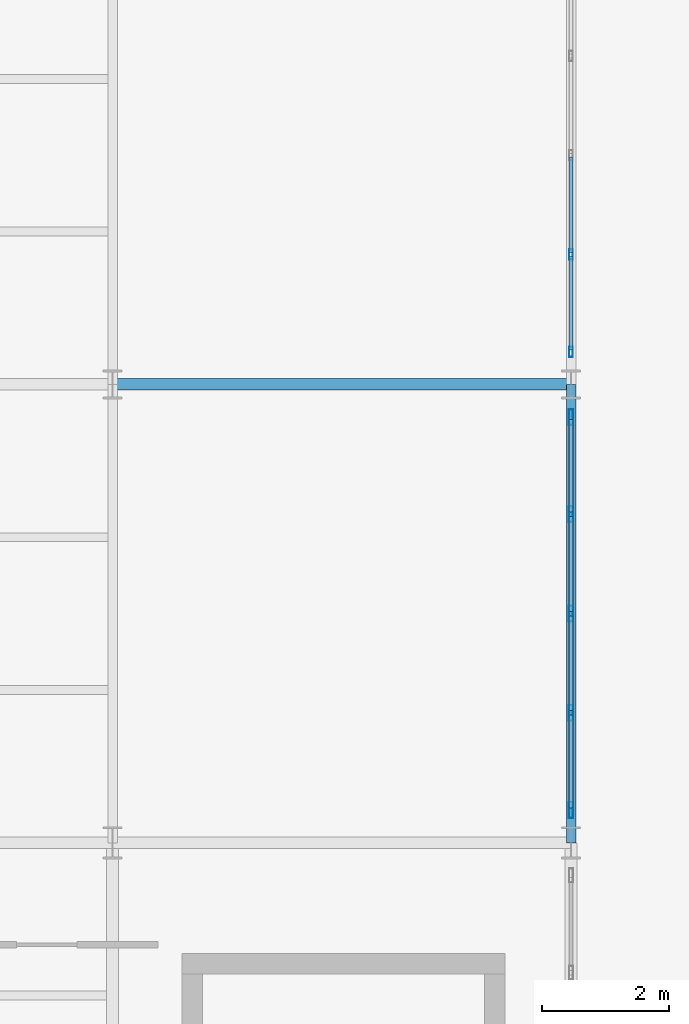
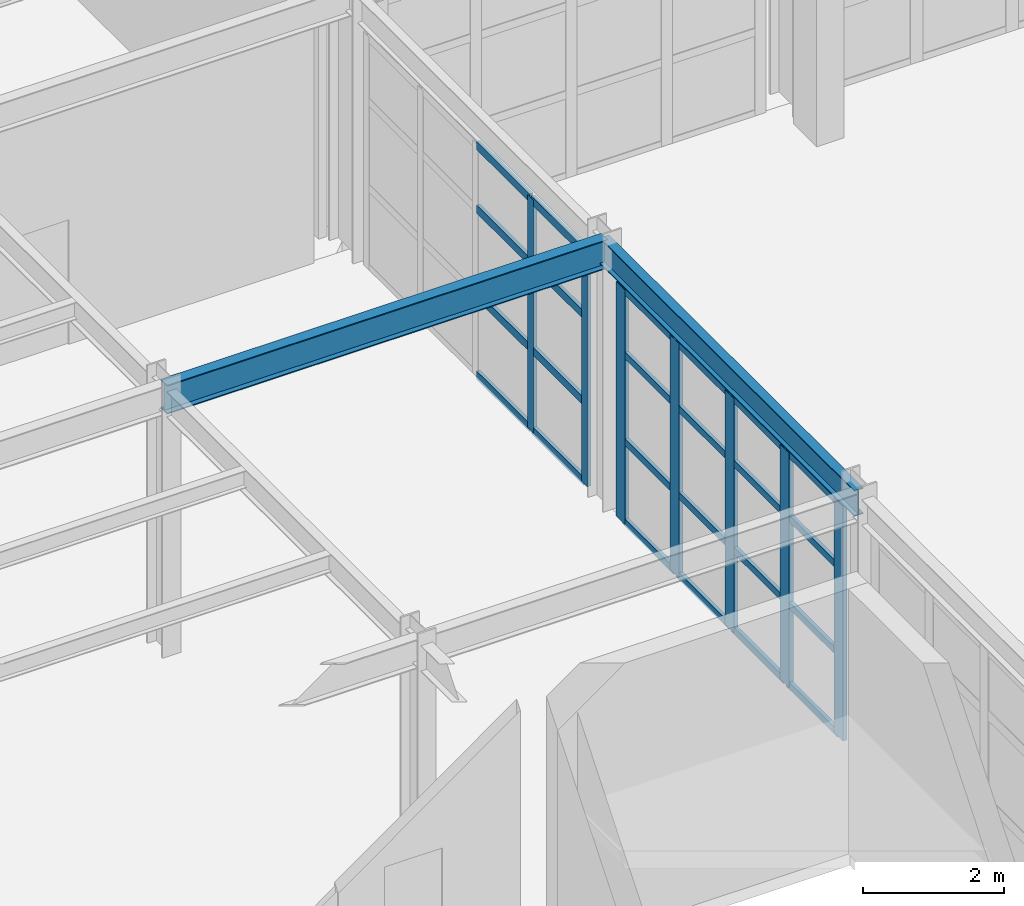
# One storey, part 22 of 83: 31 members, 2 beams, 2 elements without a shape of their own.
"""IFC4 building model written with IfcOpenShell, lengths in metres."""

from ifc_helpers import new_model, si_unit, direction, frame, origin, origin_2d, place, context, subcontext, project, spatial, hollow_rectangle, i_section, extrude, material, layer, layer_set, material_profile, profile_set, type_object, element, aggregate, save


model = new_model("IFC4")

# Units and contexts
model_context = context("Model", 3, precision=1e-05, world=origin(), true_north=direction((0.0, 1.0)))
body_context = subcontext(model_context, "Body", "Model", "MODEL_VIEW")
ifc_project = project(units=[si_unit("LENGTHUNIT", "METRE"), si_unit("AREAUNIT", "SQUARE_METRE"), si_unit("VOLUMEUNIT", "CUBIC_METRE"), si_unit("PLANEANGLEUNIT", "RADIAN"), si_unit("MASSUNIT", "GRAM", prefix="KILO")], contexts=[model_context])

# Site, building, storey
site_placement = place(None, origin())
site = spatial("IfcSite", under=ifc_project, at=site_placement, CompositionType="ELEMENT")
building_placement = place(site_placement, origin())
building = spatial("IfcBuilding", under=site, at=building_placement, Name="Solvadek Multi-Sports Hall", CompositionType="ELEMENT")
storey_placement = place(building_placement, origin())
storey = spatial("IfcBuildingStorey", under=building, at=storey_placement, Name="L00", CompositionType="ELEMENT", Elevation=0.0)

# Curtain wall, members
ifc_material_1 = material(Name="Anodised aluminium", Category="aluminium")
ifc_layer_1 = layer(ifc_material_1, 0.159912109375, Name="Anodised aluminium")
ifc_layer_set_1 = layer_set([ifc_layer_1], Name="Anodised aluminium")
curtain_wall_type_1 = type_object("IfcCurtainWallType", Name="ENV-CW-624X403", PredefinedType="USERDEFINED", material=ifc_layer_set_1)
curtain_wall_1_placement = place(storey_placement, origin())
curtain_wall_1 = element("IfcCurtainWall", 1, at=curtain_wall_1_placement, inside=storey, type_object=curtain_wall_type_1, Name="L00 Perimeter Bay Curtain Wall #197", ObjectType="CURTAIN WALL", PredefinedType="USERDEFINED")
ifc_material_profile_1 = material_profile(ifc_material_1, hollow_rectangle(XDim=0.06005859375, YDim=0.159912109375, WallThickness=0.00390625, at=origin_2d()), Name="ALU-M 160x60x4")
ifc_profile_set_1 = profile_set([ifc_material_profile_1], Name="Anodised aluminium")
member_type_1 = type_object("IfcMemberType", Name="ENV-CWM-01", PredefinedType="MULLION", material=ifc_profile_set_1)
member_1_placement = place(storey_placement, frame((21.60009765625, 42.510009765625, 0.0), z_axis=(0.0, 0.0, 1.0), x_axis=(-1.0, 0.0, 0.0)))
member_1 = element("IfcMember", 2, at=member_1_placement, type_object=member_type_1, Name="CW-43 mullion 1", PredefinedType="MULLION", context=body_context, shape_type="SweptSolid", body=[
    extrude(hollow_rectangle(XDim=0.06005859375, YDim=0.159912109375, WallThickness=0.00390625, at=origin_2d()), origin(), (0.0, 0.0, 1.0), 4.02490234375),
])
member_2_placement = place(storey_placement, frame((21.60009765625, 44.0400390625, 0.0), z_axis=(0.0, 0.0, 1.0), x_axis=(-1.0, 0.0, 0.0)))
member_2 = element("IfcMember", 3, at=member_2_placement, type_object=member_type_1, Name="CW-43 mullion 2", PredefinedType="MULLION", context=body_context, shape_type="SweptSolid", body=[
    extrude(hollow_rectangle(XDim=0.06005859375, YDim=0.159912109375, WallThickness=0.00390625, at=origin_2d()), origin(), (0.0, 0.0, 1.0), 4.02490234375),
])

ifc_layer_2 = layer(ifc_material_1, 0.159912109375, Name="Anodised aluminium")
ifc_layer_set_2 = layer_set([ifc_layer_2], Name="Anodised aluminium")
curtain_wall_type_2 = type_object("IfcCurtainWallType", Name="ENV-CW-624X405", PredefinedType="USERDEFINED", material=ifc_layer_set_2)
curtain_wall_2_placement = place(storey_placement, origin())
curtain_wall_2 = element("IfcCurtainWall", 4, at=curtain_wall_2_placement, inside=storey, type_object=curtain_wall_type_2, Name="L00 Perimeter Bay Curtain Wall #192", ObjectType="CURTAIN WALL", PredefinedType="USERDEFINED")
ifc_material_profile_2 = material_profile(ifc_material_1, hollow_rectangle(XDim=0.070068359375, YDim=0.25, WallThickness=0.0048828125, at=origin_2d()), Name="ALU-M 250x70x5")
ifc_profile_set_2 = profile_set([ifc_material_profile_2], Name="Anodised aluminium")
member_type_2 = type_object("IfcMemberType", Name="ENV-CWM-05", PredefinedType="MULLION", material=ifc_profile_set_2)
member_3_placement = place(storey_placement, frame((21.60009765625, 35.31494140625, 0.0), z_axis=(0.0, 0.0, 1.0), x_axis=(-1.0, 0.0, 0.0)))
member_3 = element("IfcMember", 5, at=member_3_placement, type_object=member_type_2, Name="CW-52 mullion 1", PredefinedType="MULLION", context=body_context, shape_type="SweptSolid", body=[
    extrude(hollow_rectangle(XDim=0.070068359375, YDim=0.25, WallThickness=0.0048828125, at=origin_2d()), origin(), (0.0, 0.0, 1.0), 4.050048828125),
])
member_4_placement = place(storey_placement, frame((21.60009765625, 36.840087890625, 0.0), z_axis=(0.0, 0.0, 1.0), x_axis=(-1.0, 0.0, 0.0)))
member_4 = element("IfcMember", 6, at=member_4_placement, type_object=member_type_2, Name="CW-52 mullion 2", PredefinedType="MULLION", context=body_context, shape_type="SweptSolid", body=[
    extrude(hollow_rectangle(XDim=0.070068359375, YDim=0.25, WallThickness=0.0048828125, at=origin_2d()), origin(), (0.0, 0.0, 1.0), 4.050048828125),
])
member_5_placement = place(storey_placement, frame((21.60009765625, 38.39990234375, 0.0), z_axis=(0.0, 0.0, 1.0), x_axis=(-1.0, 0.0, 0.0)))
member_5 = element("IfcMember", 7, at=member_5_placement, type_object=member_type_2, Name="CW-52 mullion 3", PredefinedType="MULLION", context=body_context, shape_type="SweptSolid", body=[
    extrude(hollow_rectangle(XDim=0.070068359375, YDim=0.25, WallThickness=0.0048828125, at=origin_2d()), origin(), (0.0, 0.0, 1.0), 4.050048828125),
])
member_6_placement = place(storey_placement, frame((21.60009765625, 39.9599609375, 0.0), z_axis=(0.0, 0.0, 1.0), x_axis=(-1.0, 0.0, 0.0)))
member_6 = element("IfcMember", 8, at=member_6_placement, type_object=member_type_2, Name="CW-52 mullion 4", PredefinedType="MULLION", context=body_context, shape_type="SweptSolid", body=[
    extrude(hollow_rectangle(XDim=0.070068359375, YDim=0.25, WallThickness=0.0048828125, at=origin_2d()), origin(), (0.0, 0.0, 1.0), 4.050048828125),
])
member_7_placement = place(storey_placement, frame((21.60009765625, 41.485107421875, 0.0), z_axis=(0.0, 0.0, 1.0), x_axis=(-1.0, 0.0, 0.0)))
member_7 = element("IfcMember", 9, at=member_7_placement, type_object=member_type_2, Name="CW-52 mullion 5", PredefinedType="MULLION", context=body_context, shape_type="SweptSolid", body=[
    extrude(hollow_rectangle(XDim=0.070068359375, YDim=0.25, WallThickness=0.0048828125, at=origin_2d()), origin(), (0.0, 0.0, 1.0), 4.050048828125),
])
ifc_material_profile_3 = material_profile(ifc_material_1, hollow_rectangle(XDim=0.06005859375, YDim=0.1201171875, WallThickness=0.00390625, at=origin_2d()), Name="ALU-T 120x60x4")
ifc_profile_set_3 = profile_set([ifc_material_profile_3], Name="Anodised aluminium")
member_type_3 = type_object("IfcMemberType", Name="ENV-CWT-01", PredefinedType="USERDEFINED", material=ifc_profile_set_3)
member_8_placement = place(storey_placement, frame((21.60009765625, 35.35009765625, 0.030029296875), z_axis=(0.0, 1.0, 0.0), x_axis=(-1.0, 0.0, 0.0)))
member_8 = element("IfcMember", 10, at=member_8_placement, type_object=member_type_3, Name="CW-52 transom 1.1", ObjectType="TRANSOM", PredefinedType="USERDEFINED", context=body_context, shape_type="SweptSolid", body=[
    extrude(hollow_rectangle(XDim=0.06005859375, YDim=0.1201171875, WallThickness=0.00390625, at=origin_2d()), origin(), (0.0, 0.0, 1.0), 1.454833984375),
])
member_9_placement = place(storey_placement, frame((21.60009765625, 35.35009765625, 1.4169921875), z_axis=(0.0, 1.0, 0.0), x_axis=(-1.0, 0.0, 0.0)))
member_9 = element("IfcMember", 11, at=member_9_placement, type_object=member_type_3, Name="CW-52 transom 1.2", ObjectType="TRANSOM", PredefinedType="USERDEFINED", context=body_context, shape_type="SweptSolid", body=[
    extrude(hollow_rectangle(XDim=0.06005859375, YDim=0.1201171875, WallThickness=0.00390625, at=origin_2d()), origin(), (0.0, 0.0, 1.0), 1.454833984375),
])
member_10_placement = place(storey_placement, frame((21.60009765625, 35.35009765625, 2.916015625), z_axis=(0.0, 1.0, 0.0), x_axis=(-1.0, 0.0, 0.0)))
member_10 = element("IfcMember", 12, at=member_10_placement, type_object=member_type_3, Name="CW-52 transom 1.3", ObjectType="TRANSOM", PredefinedType="USERDEFINED", context=body_context, shape_type="SweptSolid", body=[
    extrude(hollow_rectangle(XDim=0.06005859375, YDim=0.1201171875, WallThickness=0.00390625, at=origin_2d()), origin(), (0.0, 0.0, 1.0), 1.454833984375),
])
member_11_placement = place(storey_placement, frame((21.60009765625, 35.35009765625, 4.02001953125), z_axis=(0.0, 1.0, 0.0), x_axis=(-1.0, 0.0, 0.0)))
member_11 = element("IfcMember", 13, at=member_11_placement, type_object=member_type_3, Name="CW-52 transom 1.4", ObjectType="TRANSOM", PredefinedType="USERDEFINED", context=body_context, shape_type="SweptSolid", body=[
    extrude(hollow_rectangle(XDim=0.06005859375, YDim=0.1201171875, WallThickness=0.00390625, at=origin_2d()), origin(), (0.0, 0.0, 1.0), 1.454833984375),
])
member_12_placement = place(storey_placement, frame((21.60009765625, 36.875, 0.030029296875), z_axis=(0.0, 1.0, 0.0), x_axis=(-1.0, 0.0, 0.0)))
member_12 = element("IfcMember", 14, at=member_12_placement, type_object=member_type_3, Name="CW-52 transom 2.1", ObjectType="TRANSOM", PredefinedType="USERDEFINED", context=body_context, shape_type="SweptSolid", body=[
    extrude(hollow_rectangle(XDim=0.06005859375, YDim=0.1201171875, WallThickness=0.00390625, at=origin_2d()), origin(), (0.0, 0.0, 1.0), 1.489990234375),
])
member_13_placement = place(storey_placement, frame((21.60009765625, 36.875, 1.4169921875), z_axis=(0.0, 1.0, 0.0), x_axis=(-1.0, 0.0, 0.0)))
member_13 = element("IfcMember", 15, at=member_13_placement, type_object=member_type_3, Name="CW-52 transom 2.2", ObjectType="TRANSOM", PredefinedType="USERDEFINED", context=body_context, shape_type="SweptSolid", body=[
    extrude(hollow_rectangle(XDim=0.06005859375, YDim=0.1201171875, WallThickness=0.00390625, at=origin_2d()), origin(), (0.0, 0.0, 1.0), 1.489990234375),
])
member_14_placement = place(storey_placement, frame((21.60009765625, 36.875, 2.916015625), z_axis=(0.0, 1.0, 0.0), x_axis=(-1.0, 0.0, 0.0)))
member_14 = element("IfcMember", 16, at=member_14_placement, type_object=member_type_3, Name="CW-52 transom 2.3", ObjectType="TRANSOM", PredefinedType="USERDEFINED", context=body_context, shape_type="SweptSolid", body=[
    extrude(hollow_rectangle(XDim=0.06005859375, YDim=0.1201171875, WallThickness=0.00390625, at=origin_2d()), origin(), (0.0, 0.0, 1.0), 1.489990234375),
])
member_15_placement = place(storey_placement, frame((21.60009765625, 36.875, 4.02001953125), z_axis=(0.0, 1.0, 0.0), x_axis=(-1.0, 0.0, 0.0)))
member_15 = element("IfcMember", 17, at=member_15_placement, type_object=member_type_3, Name="CW-52 transom 2.4", ObjectType="TRANSOM", PredefinedType="USERDEFINED", context=body_context, shape_type="SweptSolid", body=[
    extrude(hollow_rectangle(XDim=0.06005859375, YDim=0.1201171875, WallThickness=0.00390625, at=origin_2d()), origin(), (0.0, 0.0, 1.0), 1.489990234375),
])
member_16_placement = place(storey_placement, frame((21.60009765625, 38.43505859375, 0.030029296875), z_axis=(0.0, 1.0, 0.0), x_axis=(-1.0, 0.0, 0.0)))
member_16 = element("IfcMember", 18, at=member_16_placement, type_object=member_type_3, Name="CW-52 transom 3.1", ObjectType="TRANSOM", PredefinedType="USERDEFINED", context=body_context, shape_type="SweptSolid", body=[
    extrude(hollow_rectangle(XDim=0.06005859375, YDim=0.1201171875, WallThickness=0.00390625, at=origin_2d()), origin(), (0.0, 0.0, 1.0), 1.489990234375),
])
member_17_placement = place(storey_placement, frame((21.60009765625, 38.43505859375, 1.4169921875), z_axis=(0.0, 1.0, 0.0), x_axis=(-1.0, 0.0, 0.0)))
member_17 = element("IfcMember", 19, at=member_17_placement, type_object=member_type_3, Name="CW-52 transom 3.2", ObjectType="TRANSOM", PredefinedType="USERDEFINED", context=body_context, shape_type="SweptSolid", body=[
    extrude(hollow_rectangle(XDim=0.06005859375, YDim=0.1201171875, WallThickness=0.00390625, at=origin_2d()), origin(), (0.0, 0.0, 1.0), 1.489990234375),
])
member_18_placement = place(storey_placement, frame((21.60009765625, 38.43505859375, 2.916015625), z_axis=(0.0, 1.0, 0.0), x_axis=(-1.0, 0.0, 0.0)))
member_18 = element("IfcMember", 20, at=member_18_placement, type_object=member_type_3, Name="CW-52 transom 3.3", ObjectType="TRANSOM", PredefinedType="USERDEFINED", context=body_context, shape_type="SweptSolid", body=[
    extrude(hollow_rectangle(XDim=0.06005859375, YDim=0.1201171875, WallThickness=0.00390625, at=origin_2d()), origin(), (0.0, 0.0, 1.0), 1.489990234375),
])
member_19_placement = place(storey_placement, frame((21.60009765625, 38.43505859375, 4.02001953125), z_axis=(0.0, 1.0, 0.0), x_axis=(-1.0, 0.0, 0.0)))
member_19 = element("IfcMember", 21, at=member_19_placement, type_object=member_type_3, Name="CW-52 transom 3.4", ObjectType="TRANSOM", PredefinedType="USERDEFINED", context=body_context, shape_type="SweptSolid", body=[
    extrude(hollow_rectangle(XDim=0.06005859375, YDim=0.1201171875, WallThickness=0.00390625, at=origin_2d()), origin(), (0.0, 0.0, 1.0), 1.489990234375),
])
member_20_placement = place(storey_placement, frame((21.60009765625, 39.9951171875, 0.030029296875), z_axis=(0.0, 1.0, 0.0), x_axis=(-1.0, 0.0, 0.0)))
member_20 = element("IfcMember", 22, at=member_20_placement, type_object=member_type_3, Name="CW-52 transom 4.1", ObjectType="TRANSOM", PredefinedType="USERDEFINED", context=body_context, shape_type="SweptSolid", body=[
    extrude(hollow_rectangle(XDim=0.06005859375, YDim=0.1201171875, WallThickness=0.00390625, at=origin_2d()), origin(), (0.0, 0.0, 1.0), 1.454833984375),
])
member_21_placement = place(storey_placement, frame((21.60009765625, 39.9951171875, 1.4169921875), z_axis=(0.0, 1.0, 0.0), x_axis=(-1.0, 0.0, 0.0)))
member_21 = element("IfcMember", 23, at=member_21_placement, type_object=member_type_3, Name="CW-52 transom 4.2", ObjectType="TRANSOM", PredefinedType="USERDEFINED", context=body_context, shape_type="SweptSolid", body=[
    extrude(hollow_rectangle(XDim=0.06005859375, YDim=0.1201171875, WallThickness=0.00390625, at=origin_2d()), origin(), (0.0, 0.0, 1.0), 1.454833984375),
])
member_22_placement = place(storey_placement, frame((21.60009765625, 39.9951171875, 2.916015625), z_axis=(0.0, 1.0, 0.0), x_axis=(-1.0, 0.0, 0.0)))
member_22 = element("IfcMember", 24, at=member_22_placement, type_object=member_type_3, Name="CW-52 transom 4.3", ObjectType="TRANSOM", PredefinedType="USERDEFINED", context=body_context, shape_type="SweptSolid", body=[
    extrude(hollow_rectangle(XDim=0.06005859375, YDim=0.1201171875, WallThickness=0.00390625, at=origin_2d()), origin(), (0.0, 0.0, 1.0), 1.454833984375),
])
member_23_placement = place(storey_placement, frame((21.60009765625, 39.9951171875, 4.02001953125), z_axis=(0.0, 1.0, 0.0), x_axis=(-1.0, 0.0, 0.0)))
member_23 = element("IfcMember", 25, at=member_23_placement, type_object=member_type_3, Name="CW-52 transom 4.4", ObjectType="TRANSOM", PredefinedType="USERDEFINED", context=body_context, shape_type="SweptSolid", body=[
    extrude(hollow_rectangle(XDim=0.06005859375, YDim=0.1201171875, WallThickness=0.00390625, at=origin_2d()), origin(), (0.0, 0.0, 1.0), 1.454833984375),
])
aggregate(curtain_wall_2, [member_3, member_4, member_5, member_6, member_7, member_8, member_9, member_10, member_11, member_12, member_13, member_14, member_15, member_16, member_17, member_18, member_19, member_20, member_21, member_22, member_23])

# Member
ifc_material_profile_4 = material_profile(ifc_material_1, hollow_rectangle(XDim=0.06005859375, YDim=0.139892578125, WallThickness=0.00390625, at=origin_2d()), Name="ALU-T 140x60x4")
ifc_profile_set_4 = profile_set([ifc_material_profile_4], Name="Anodised aluminium")
member_type_4 = type_object("IfcMemberType", Name="ENV-CWT-02", PredefinedType="USERDEFINED", material=ifc_profile_set_4)
member_24_placement = place(storey_placement, frame((21.60009765625, 42.5400390625, 0.030029296875), z_axis=(0.0, 1.0, 0.0), x_axis=(-1.0, 0.0, 0.0)))
member_24 = element("IfcMember", 26, at=member_24_placement, type_object=member_type_4, Name="CW-43 transom 1.1", ObjectType="TRANSOM", PredefinedType="USERDEFINED", context=body_context, shape_type="SweptSolid", body=[
    extrude(hollow_rectangle(XDim=0.06005859375, YDim=0.139892578125, WallThickness=0.00390625, at=origin_2d()), origin(), (0.0, 0.0, 1.0), 1.469970703125),
])

member_25_placement = place(storey_placement, frame((21.60009765625, 42.5400390625, 1.408935546875), z_axis=(0.0, 1.0, 0.0), x_axis=(-1.0, 0.0, 0.0)))
member_25 = element("IfcMember", 27, at=member_25_placement, type_object=member_type_4, Name="CW-43 transom 1.2", ObjectType="TRANSOM", PredefinedType="USERDEFINED", context=body_context, shape_type="SweptSolid", body=[
    extrude(hollow_rectangle(XDim=0.06005859375, YDim=0.139892578125, WallThickness=0.00390625, at=origin_2d()), origin(), (0.0, 0.0, 1.0), 1.469970703125),
])

member_26_placement = place(storey_placement, frame((21.60009765625, 42.5400390625, 2.89794921875), z_axis=(0.0, 1.0, 0.0), x_axis=(-1.0, 0.0, 0.0)))
member_26 = element("IfcMember", 28, at=member_26_placement, type_object=member_type_4, Name="CW-43 transom 1.3", ObjectType="TRANSOM", PredefinedType="USERDEFINED", context=body_context, shape_type="SweptSolid", body=[
    extrude(hollow_rectangle(XDim=0.06005859375, YDim=0.139892578125, WallThickness=0.00390625, at=origin_2d()), origin(), (0.0, 0.0, 1.0), 1.469970703125),
])

member_27_placement = place(storey_placement, frame((21.60009765625, 42.5400390625, 3.9951171875), z_axis=(0.0, 1.0, 0.0), x_axis=(-1.0, 0.0, 0.0)))
member_27 = element("IfcMember", 29, at=member_27_placement, type_object=member_type_4, Name="CW-43 transom 1.4", ObjectType="TRANSOM", PredefinedType="USERDEFINED", context=body_context, shape_type="SweptSolid", body=[
    extrude(hollow_rectangle(XDim=0.06005859375, YDim=0.139892578125, WallThickness=0.00390625, at=origin_2d()), origin(), (0.0, 0.0, 1.0), 1.469970703125),
])

member_28_placement = place(storey_placement, frame((21.60009765625, 44.070068359375, 0.030029296875), z_axis=(0.0, 1.0, 0.0), x_axis=(-1.0, 0.0, 0.0)))
member_28 = element("IfcMember", 30, at=member_28_placement, type_object=member_type_4, Name="CW-43 transom 2.1", ObjectType="TRANSOM", PredefinedType="USERDEFINED", context=body_context, shape_type="SweptSolid", body=[
    extrude(hollow_rectangle(XDim=0.06005859375, YDim=0.139892578125, WallThickness=0.00390625, at=origin_2d()), origin(), (0.0, 0.0, 1.0), 1.5),
])

member_29_placement = place(storey_placement, frame((21.60009765625, 44.070068359375, 1.408935546875), z_axis=(0.0, 1.0, 0.0), x_axis=(-1.0, 0.0, 0.0)))
member_29 = element("IfcMember", 31, at=member_29_placement, type_object=member_type_4, Name="CW-43 transom 2.2", ObjectType="TRANSOM", PredefinedType="USERDEFINED", context=body_context, shape_type="SweptSolid", body=[
    extrude(hollow_rectangle(XDim=0.06005859375, YDim=0.139892578125, WallThickness=0.00390625, at=origin_2d()), origin(), (0.0, 0.0, 1.0), 1.5),
])

member_30_placement = place(storey_placement, frame((21.60009765625, 44.070068359375, 2.89794921875), z_axis=(0.0, 1.0, 0.0), x_axis=(-1.0, 0.0, 0.0)))
member_30 = element("IfcMember", 32, at=member_30_placement, type_object=member_type_4, Name="CW-43 transom 2.3", ObjectType="TRANSOM", PredefinedType="USERDEFINED", context=body_context, shape_type="SweptSolid", body=[
    extrude(hollow_rectangle(XDim=0.06005859375, YDim=0.139892578125, WallThickness=0.00390625, at=origin_2d()), origin(), (0.0, 0.0, 1.0), 1.5),
])

member_31_placement = place(storey_placement, frame((21.60009765625, 44.070068359375, 3.9951171875), z_axis=(0.0, 1.0, 0.0), x_axis=(-1.0, 0.0, 0.0)))
member_31 = element("IfcMember", 33, at=member_31_placement, type_object=member_type_4, Name="CW-43 transom 2.4", ObjectType="TRANSOM", PredefinedType="USERDEFINED", context=body_context, shape_type="SweptSolid", body=[
    extrude(hollow_rectangle(XDim=0.06005859375, YDim=0.139892578125, WallThickness=0.00390625, at=origin_2d()), origin(), (0.0, 0.0, 1.0), 1.5),
])

aggregate(curtain_wall_1, [member_1, member_2, member_24, member_25, member_26, member_27, member_28, member_29, member_30, member_31])

# Beams
ifc_material_2 = material(Name="Steel E350 (350 MPa)", Category="steel")
ifc_material_profile_5 = material_profile(ifc_material_2, i_section(OverallWidth=0.14990234375, OverallDepth=0.449951171875, WebThickness=0.009521484375, FlangeThickness=0.017333984375, at=origin_2d()), Name="ISMB 450")
ifc_profile_set_5 = profile_set([ifc_material_profile_5], Name="Steel E350 (350 MPa)")
beam_type_1 = type_object("IfcBeamType", Name="STR-BM-ISMB450", PredefinedType="BEAM", material=ifc_profile_set_5)
beam_1_placement = place(storey_placement, frame((21.60009765625, 34.800048828125, 4.35498046875), z_axis=(0.0, 1.0, 0.0), x_axis=(-1.0, 0.0, 0.0)))
element("IfcBeam", 34, at=beam_1_placement, inside=storey, type_object=beam_type_1, Name="L00 Girder B-09 #765", PredefinedType="BEAM", context=body_context, shape_type="SweptSolid", body=[
    extrude(i_section(OverallWidth=0.14990234375, OverallDepth=0.449951171875, WebThickness=0.009521484375, FlangeThickness=0.017333984375, at=origin_2d()), origin(), (0.0, 0.0, 1.0), 7.199951171875),
])
ifc_material_profile_6 = material_profile(ifc_material_2, i_section(OverallWidth=0.179931640625, OverallDepth=0.5, WebThickness=0.01025390625, FlangeThickness=0.01708984375, at=origin_2d()), Name="ISMB 500")
ifc_profile_set_6 = profile_set([ifc_material_profile_6], Name="Steel E350 (350 MPa)")
beam_type_2 = type_object("IfcBeamType", Name="STR-BM-ISMB500", PredefinedType="BEAM", material=ifc_profile_set_6)
beam_2_placement = place(storey_placement, frame((14.39990234375, 42.0, 4.330078125), z_axis=(1.0, 0.0, 0.0), x_axis=(0.0, 1.0, 0.0)))
element("IfcBeam", 35, at=beam_2_placement, inside=storey, type_object=beam_type_2, Name="L00 Girder B-07 #589", PredefinedType="BEAM", context=body_context, shape_type="SweptSolid", body=[
    extrude(i_section(OverallWidth=0.179931640625, OverallDepth=0.5, WebThickness=0.01025390625, FlangeThickness=0.01708984375, at=origin_2d()), origin(), (0.0, 0.0, 1.0), 7.2001953125),
])

save(model, "model.ifc")
